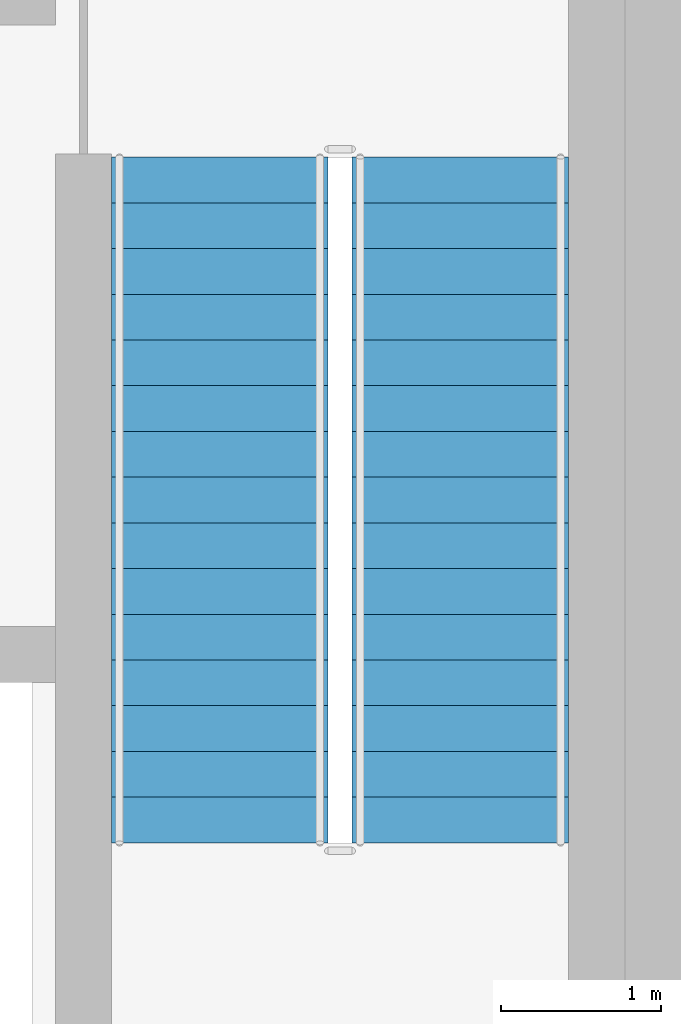
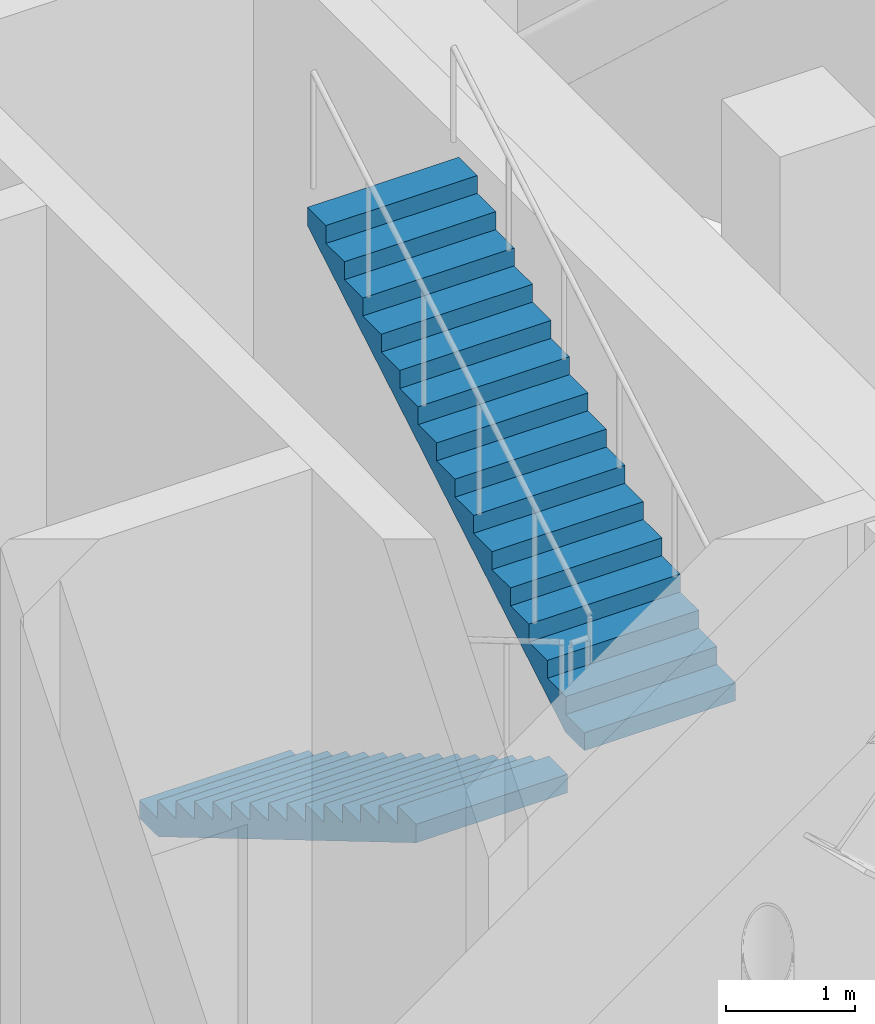
# One storey, part 7 of 8: 2 stair flights, 1 element without a shape of its own.
"""IFC4 building model written with IfcOpenShell, lengths in metres."""

from ifc_helpers import new_model, si_unit, direction, frame, origin, place, context, subcontext, project, spatial, polyline, outline, extrude, material, type_object, element, aggregate, save


model = new_model("IFC4")

# Units and contexts
model_context = context("Model", 3, precision=1e-05, world=origin(), true_north=direction((0.0, 1.0)))
body_context = subcontext(model_context, "Body", "Model", "MODEL_VIEW")
ifc_project = project(units=[si_unit("LENGTHUNIT", "METRE"), si_unit("AREAUNIT", "SQUARE_METRE"), si_unit("VOLUMEUNIT", "CUBIC_METRE"), si_unit("PLANEANGLEUNIT", "RADIAN"), si_unit("MASSUNIT", "GRAM", prefix="KILO")], contexts=[model_context])

# Site, building, storey
site_placement = place(None, origin())
site = spatial("IfcSite", under=ifc_project, at=site_placement, CompositionType="ELEMENT")
building_placement = place(site_placement, origin())
building = spatial("IfcBuilding", under=site, at=building_placement, Name="Almagre Mirador Tower", CompositionType="ELEMENT")
storey_placement = place(building_placement, frame((0.0, 0.0, 201.60009765625)))
storey = spatial("IfcBuildingStorey", under=building, at=storey_placement, Name="L52", CompositionType="ELEMENT", Elevation=201.60009765625)

# Stair, stair flights
ifc_material_1 = material(Name="Concrete C45/55", Category="concrete")
stair_type = type_object("IfcStairType", Name="STR-DL-5400", PredefinedType="HALF_TURN_STAIR", material=ifc_material_1)
stair_placement = place(storey_placement, origin())
stair = element("IfcStair", 1, at=stair_placement, inside=storey, type_object=stair_type, Name="L52 Protected exit stair ST-3", PredefinedType="HALF_TURN_STAIR")
ifc_material_2 = material(Name="Concrete C45/55", Category="concrete")
stair_flight_type = type_object("IfcStairFlightType", Name="FLT-DL-5400", PredefinedType="STRAIGHT", material=ifc_material_2)
stair_flight_1_placement = place(storey_placement, frame((44.14990234375, 11.199951171875, 0.0), z_axis=(0.0, 0.0, 1.0), x_axis=(0.0, -1.0, 0.0)))
stair_flight_1 = element("IfcStairFlight", 2, at=stair_flight_1_placement, type_object=stair_flight_type, Name="ST-3 flight 1", NumberOfRisers=16, NumberOfTreads=15, PredefinedType="STRAIGHT", RiserHeight=0.16875, TreadLength=0.285, context=body_context, shape_type="SweptSolid", body=[
    extrude(outline(polyline([(0.0, 0.0), (0.0, 0.168701171875), (0.284912109375, 0.168701171875), (0.284912109375, 0.33740234375), (0.570068359375, 0.33740234375), (0.570068359375, 0.50634765625), (0.85498046875, 0.50634765625), (0.85498046875, 0.675048828125), (1.139892578125, 0.675048828125), (1.139892578125, 0.84375), (1.425048828125, 0.84375), (1.425048828125, 1.012451171875), (1.7099609375, 1.012451171875), (1.7099609375, 1.18115234375), (1.9951171875, 1.18115234375), (1.9951171875, 1.35009765625), (2.280029296875, 1.35009765625), (2.280029296875, 1.518798828125), (2.56494140625, 1.518798828125), (2.56494140625, 1.6875), (2.85009765625, 1.6875), (2.85009765625, 1.856201171875), (3.135009765625, 1.856201171875), (3.135009765625, 2.02490234375), (3.419921875, 2.02490234375), (3.419921875, 2.19384765625), (3.705078125, 2.19384765625), (3.705078125, 2.362548828125), (3.989990234375, 2.362548828125), (3.989990234375, 2.53125), (4.27490234375, 2.53125), (4.27490234375, 2.699951171875), (4.27490234375, 2.35693359375), (0.294189453125, 0.0), (0.0, 0.0)])), frame((0.0, 0.675048828125, 0.0), z_axis=(0.0, -1.0, 0.0), x_axis=(1.0, 0.0, 0.0)), (0.0, 0.0, 1.0), 1.35009765625),
])
stair_flight_2_placement = place(storey_placement, frame((45.64990234375, 6.925048828125, 2.699951171875), z_axis=(0.0, 0.0, 1.0), x_axis=(0.0, 1.0, 0.0)))
stair_flight_2 = element("IfcStairFlight", 3, at=stair_flight_2_placement, type_object=stair_flight_type, Name="ST-3 flight 2", NumberOfRisers=16, NumberOfTreads=15, PredefinedType="STRAIGHT", RiserHeight=0.16875, TreadLength=0.285, context=body_context, shape_type="SweptSolid", body=[
    extrude(outline(polyline([(0.0, 0.0), (0.0, 0.168701171875), (0.284912109375, 0.168701171875), (0.284912109375, 0.33740234375), (0.570068359375, 0.33740234375), (0.570068359375, 0.50634765625), (0.85498046875, 0.50634765625), (0.85498046875, 0.675048828125), (1.139892578125, 0.675048828125), (1.139892578125, 0.84375), (1.425048828125, 0.84375), (1.425048828125, 1.012451171875), (1.7099609375, 1.012451171875), (1.7099609375, 1.18115234375), (1.9951171875, 1.18115234375), (1.9951171875, 1.35009765625), (2.280029296875, 1.35009765625), (2.280029296875, 1.518798828125), (2.56494140625, 1.518798828125), (2.56494140625, 1.6875), (2.85009765625, 1.6875), (2.85009765625, 1.856201171875), (3.135009765625, 1.856201171875), (3.135009765625, 2.02490234375), (3.419921875, 2.02490234375), (3.419921875, 2.19384765625), (3.705078125, 2.19384765625), (3.705078125, 2.362548828125), (3.989990234375, 2.362548828125), (3.989990234375, 2.53125), (4.27490234375, 2.53125), (4.27490234375, 2.699951171875), (4.27490234375, 2.35693359375), (0.294189453125, 0.0), (0.0, 0.0)])), frame((0.0, 0.675048828125, 0.0), z_axis=(0.0, -1.0, 0.0), x_axis=(1.0, 0.0, 0.0)), (0.0, 0.0, 1.0), 1.35009765625),
])
aggregate(stair, [stair_flight_1, stair_flight_2])

save(model, "model.ifc")
